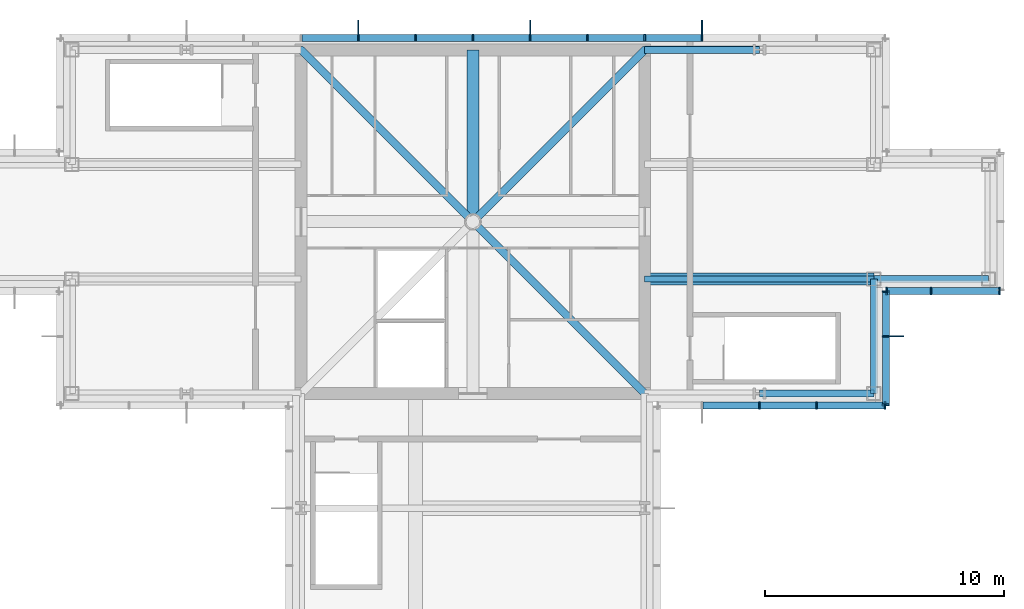
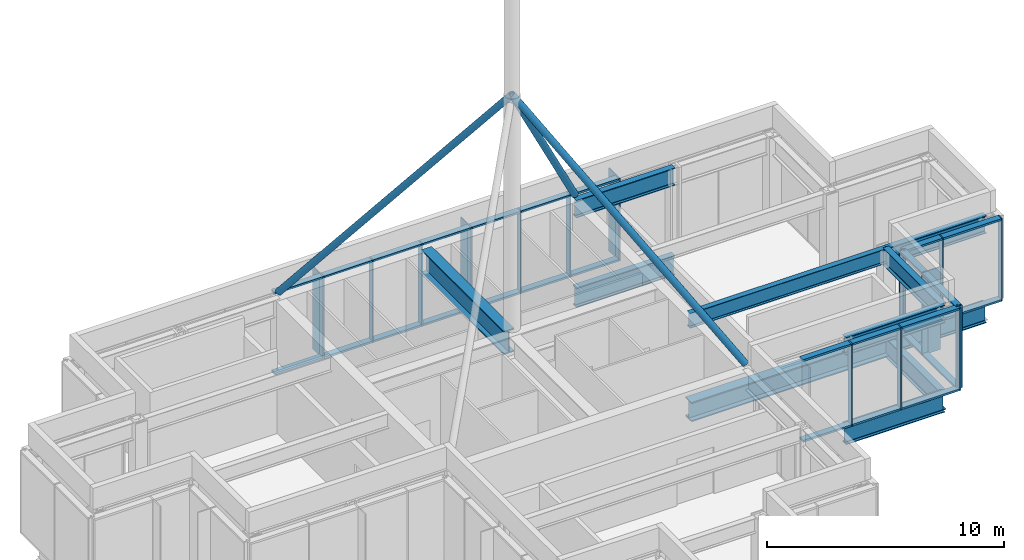
# One storey, part 5 of 10: 51 members, 11 beams, 4 elements without a shape of their own.
"""IFC4 building model written with IfcOpenShell, lengths in metres."""

from ifc_helpers import new_model, si_unit, direction, frame, origin, origin_2d, place, context, subcontext, project, spatial, rectangle, hollow_circle, i_section, extrude, material, material_profile, profile_set, type_object, element, aggregate, save


model = new_model("IFC4")

# Units and contexts
model_context = context("Model", 3, precision=1e-05, world=origin(), true_north=direction((0.0, 1.0)))
body_context = subcontext(model_context, "Body", "Model", "MODEL_VIEW")
ifc_project = project(units=[si_unit("LENGTHUNIT", "METRE"), si_unit("AREAUNIT", "SQUARE_METRE"), si_unit("VOLUMEUNIT", "CUBIC_METRE"), si_unit("PLANEANGLEUNIT", "RADIAN"), si_unit("MASSUNIT", "GRAM", prefix="KILO")], contexts=[model_context])

# Site, building, storey
site_placement = place(None, origin())
site = spatial("IfcSite", under=ifc_project, at=site_placement, CompositionType="ELEMENT")
building_placement = place(site_placement, origin())
building = spatial("IfcBuilding", under=site, at=building_placement, Name="Kvirike Care Tower", CompositionType="ELEMENT")
storey_placement = place(building_placement, frame((0.0, 0.0, 248.0)))
storey = spatial("IfcBuildingStorey", under=building, at=storey_placement, Name="L68", CompositionType="ELEMENT", Elevation=248.0)

# Curtain wall, member
ifc_material_1 = material(Name="Anodised aluminium stick system", Category="aluminium")
curtain_wall_type = type_object("IfcCurtainWallType", Name="CW-L LOUVRED PLANT SCREEN", PredefinedType="NOTDEFINED", material=ifc_material_1)
curtain_wall_1_placement = place(storey_placement, origin())
curtain_wall_1 = element("IfcCurtainWall", 1, at=curtain_wall_1_placement, inside=storey, type_object=curtain_wall_type, Name="Curtain wall L68 face 2", PredefinedType="NOTDEFINED")
ifc_material_2 = material(Name="Bronze anodised aluminium fin", Category="aluminium")
ifc_material_profile_1 = material_profile(ifc_material_2, rectangle(XDim=0.050048828125, YDim=0.60009765625, at=origin_2d()), Name="BRONZE FIN 600")
ifc_profile_set_1 = profile_set([ifc_material_profile_1], Name="Bronze anodised aluminium fin")
member_type_1 = type_object("IfcMemberType", Name="BRONZE FIN 600", PredefinedType="USERDEFINED", material=ifc_profile_set_1)
member_1_placement = place(storey_placement, frame((39.35009765625, 31.199951171875, 0.0), z_axis=(0.0, 0.0, 1.0), x_axis=(0.0, 1.0, 0.0)))
member_1 = element("IfcMember", 2, at=member_1_placement, type_object=member_type_1, Name="Bronze fin L68 face 2.2", ObjectType="FIN", PredefinedType="USERDEFINED", context=body_context, shape_type="SweptSolid", body=[
    extrude(rectangle(XDim=0.050048828125, YDim=0.60009765625, at=origin_2d()), origin(), (0.0, 0.0, 1.0), 4.25),
])

# Curtain wall, members
curtain_wall_2_placement = place(storey_placement, origin())
curtain_wall_2 = element("IfcCurtainWall", 3, at=curtain_wall_2_placement, inside=storey, type_object=curtain_wall_type, Name="Curtain wall L68 face 7", PredefinedType="NOTDEFINED")
member_2_placement = place(storey_placement, frame((31.199951171875, 44.14990234375, 0.0), z_axis=(0.0, 0.0, 1.0), x_axis=(-1.0, 0.0, 0.0)))
member_2 = element("IfcMember", 4, at=member_2_placement, type_object=member_type_1, Name="Bronze fin L68 face 7.4", ObjectType="FIN", PredefinedType="USERDEFINED", context=body_context, shape_type="SweptSolid", body=[
    extrude(rectangle(XDim=0.050048828125, YDim=0.60009765625, at=origin_2d()), origin(), (0.0, 0.0, 1.0), 4.25),
])
member_3_placement = place(storey_placement, frame((24.0, 44.14990234375, 0.0), z_axis=(0.0, 0.0, 1.0), x_axis=(-1.0, 0.0, 0.0)))
member_3 = element("IfcMember", 5, at=member_3_placement, type_object=member_type_1, Name="Bronze fin L68 face 7.7", ObjectType="FIN", PredefinedType="USERDEFINED", context=body_context, shape_type="SweptSolid", body=[
    extrude(rectangle(XDim=0.050048828125, YDim=0.60009765625, at=origin_2d()), origin(), (0.0, 0.0, 1.0), 4.25),
])
member_4_placement = place(storey_placement, frame((16.800048828125, 44.14990234375, 0.0), z_axis=(0.0, 0.0, 1.0), x_axis=(-1.0, 0.0, 0.0)))
member_4 = element("IfcMember", 6, at=member_4_placement, type_object=member_type_1, Name="Bronze fin L68 face 7.10", ObjectType="FIN", PredefinedType="USERDEFINED", context=body_context, shape_type="SweptSolid", body=[
    extrude(rectangle(XDim=0.050048828125, YDim=0.60009765625, at=origin_2d()), origin(), (0.0, 0.0, 1.0), 4.25),
])

curtain_wall_3_placement = place(storey_placement, origin())
curtain_wall_3 = element("IfcCurtainWall", 7, at=curtain_wall_3_placement, inside=storey, type_object=curtain_wall_type, Name="Curtain wall L68 face 1", PredefinedType="NOTDEFINED")
ifc_material_3 = material(Name="Bronze anodised aluminium mullion", Category="aluminium")
ifc_material_profile_2 = material_profile(ifc_material_3, rectangle(XDim=0.06494140625, YDim=0.300048828125, at=origin_2d()), Name="CW-L MULLION 65x300")
ifc_profile_set_2 = profile_set([ifc_material_profile_2], Name="Bronze anodised aluminium mullion")
member_type_2 = type_object("IfcMemberType", Name="CW-L MULLION 65x300", PredefinedType="MULLION", material=ifc_profile_set_2)
member_5_placement = place(storey_placement, frame((33.60009765625, 28.300048828125, 0.0), z_axis=(0.0, 0.0, 1.0), x_axis=(1.0, 0.0, 0.0)))
member_5 = element("IfcMember", 8, at=member_5_placement, type_object=member_type_2, Name="CW-L mullion L68 face 1.3", PredefinedType="MULLION", context=body_context, shape_type="SweptSolid", body=[
    extrude(rectangle(XDim=0.06494140625, YDim=0.300048828125, at=origin_2d()), origin(), (0.0, 0.0, 1.0), 4.25),
])
member_6_placement = place(storey_placement, frame((36.0, 28.300048828125, 0.0), z_axis=(0.0, 0.0, 1.0), x_axis=(1.0, 0.0, 0.0)))
member_6 = element("IfcMember", 9, at=member_6_placement, type_object=member_type_2, Name="CW-L mullion L68 face 1.4", PredefinedType="MULLION", context=body_context, shape_type="SweptSolid", body=[
    extrude(rectangle(XDim=0.06494140625, YDim=0.300048828125, at=origin_2d()), origin(), (0.0, 0.0, 1.0), 4.25),
])
member_7_placement = place(storey_placement, frame((38.867431640625, 28.300048828125, 0.0), z_axis=(0.0, 0.0, 1.0), x_axis=(1.0, 0.0, 0.0)))
member_7 = element("IfcMember", 10, at=member_7_placement, type_object=member_type_2, Name="CW-L mullion L68 face 1.5", PredefinedType="MULLION", context=body_context, shape_type="SweptSolid", body=[
    extrude(rectangle(XDim=0.06494140625, YDim=0.300048828125, at=origin_2d()), origin(), (0.0, 0.0, 1.0), 4.25),
])

# Member
member_8_placement = place(storey_placement, frame((38.89990234375, 28.33251953125, 0.0), z_axis=(0.0, 0.0, 1.0), x_axis=(0.0, 1.0, 0.0)))
member_8 = element("IfcMember", 11, at=member_8_placement, type_object=member_type_2, Name="CW-L mullion L68 face 2.1", PredefinedType="MULLION", context=body_context, shape_type="SweptSolid", body=[
    extrude(rectangle(XDim=0.06494140625, YDim=0.300048828125, at=origin_2d()), origin(), (0.0, 0.0, 1.0), 4.25),
])

member_9_placement = place(storey_placement, frame((38.89990234375, 31.199951171875, 0.0), z_axis=(0.0, 0.0, 1.0), x_axis=(0.0, 1.0, 0.0)))
member_9 = element("IfcMember", 12, at=member_9_placement, type_object=member_type_2, Name="CW-L mullion L68 face 2.2", PredefinedType="MULLION", context=body_context, shape_type="SweptSolid", body=[
    extrude(rectangle(XDim=0.06494140625, YDim=0.300048828125, at=origin_2d()), origin(), (0.0, 0.0, 1.0), 4.25),
])

member_10_placement = place(storey_placement, frame((38.89990234375, 33.0673828125, 0.0), z_axis=(0.0, 0.0, 1.0), x_axis=(0.0, 1.0, 0.0)))
member_10 = element("IfcMember", 13, at=member_10_placement, type_object=member_type_2, Name="CW-L mullion L68 face 2.3", PredefinedType="MULLION", context=body_context, shape_type="SweptSolid", body=[
    extrude(rectangle(XDim=0.06494140625, YDim=0.300048828125, at=origin_2d()), origin(), (0.0, 0.0, 1.0), 4.25),
])

# Curtain wall, members
curtain_wall_4_placement = place(storey_placement, origin())
curtain_wall_4 = element("IfcCurtainWall", 14, at=curtain_wall_4_placement, inside=storey, type_object=curtain_wall_type, Name="Curtain wall L68 face 3", PredefinedType="NOTDEFINED")
member_11_placement = place(storey_placement, frame((38.9326171875, 33.10009765625, 0.0), z_axis=(0.0, 0.0, 1.0), x_axis=(1.0, 0.0, 0.0)))
member_11 = element("IfcMember", 15, at=member_11_placement, type_object=member_type_2, Name="CW-L mullion L68 face 3.1", PredefinedType="MULLION", context=body_context, shape_type="SweptSolid", body=[
    extrude(rectangle(XDim=0.06494140625, YDim=0.300048828125, at=origin_2d()), origin(), (0.0, 0.0, 1.0), 4.25),
])
member_12_placement = place(storey_placement, frame((40.800048828125, 33.10009765625, 0.0), z_axis=(0.0, 0.0, 1.0), x_axis=(1.0, 0.0, 0.0)))
member_12 = element("IfcMember", 16, at=member_12_placement, type_object=member_type_2, Name="CW-L mullion L68 face 3.2", PredefinedType="MULLION", context=body_context, shape_type="SweptSolid", body=[
    extrude(rectangle(XDim=0.06494140625, YDim=0.300048828125, at=origin_2d()), origin(), (0.0, 0.0, 1.0), 4.25),
])
member_13_placement = place(storey_placement, frame((43.66748046875, 33.10009765625, 0.0), z_axis=(0.0, 0.0, 1.0), x_axis=(1.0, 0.0, 0.0)))
member_13 = element("IfcMember", 17, at=member_13_placement, type_object=member_type_2, Name="CW-L mullion L68 face 3.3", PredefinedType="MULLION", context=body_context, shape_type="SweptSolid", body=[
    extrude(rectangle(XDim=0.06494140625, YDim=0.300048828125, at=origin_2d()), origin(), (0.0, 0.0, 1.0), 4.25),
])

# Member
member_14_placement = place(storey_placement, frame((31.199951171875, 43.699951171875, 0.0), z_axis=(0.0, 0.0, 1.0), x_axis=(-1.0, 0.0, 0.0)))
member_14 = element("IfcMember", 18, at=member_14_placement, type_object=member_type_2, Name="CW-L mullion L68 face 7.4", PredefinedType="MULLION", context=body_context, shape_type="SweptSolid", body=[
    extrude(rectangle(XDim=0.06494140625, YDim=0.300048828125, at=origin_2d()), origin(), (0.0, 0.0, 1.0), 4.25),
])

member_15_placement = place(storey_placement, frame((28.800048828125, 43.699951171875, 0.0), z_axis=(0.0, 0.0, 1.0), x_axis=(-1.0, 0.0, 0.0)))
member_15 = element("IfcMember", 19, at=member_15_placement, type_object=member_type_2, Name="CW-L mullion L68 face 7.5", PredefinedType="MULLION", context=body_context, shape_type="SweptSolid", body=[
    extrude(rectangle(XDim=0.06494140625, YDim=0.300048828125, at=origin_2d()), origin(), (0.0, 0.0, 1.0), 4.25),
])

member_16_placement = place(storey_placement, frame((26.39990234375, 43.699951171875, 0.0), z_axis=(0.0, 0.0, 1.0), x_axis=(-1.0, 0.0, 0.0)))
member_16 = element("IfcMember", 20, at=member_16_placement, type_object=member_type_2, Name="CW-L mullion L68 face 7.6", PredefinedType="MULLION", context=body_context, shape_type="SweptSolid", body=[
    extrude(rectangle(XDim=0.06494140625, YDim=0.300048828125, at=origin_2d()), origin(), (0.0, 0.0, 1.0), 4.25),
])

member_17_placement = place(storey_placement, frame((24.0, 43.699951171875, 0.0), z_axis=(0.0, 0.0, 1.0), x_axis=(-1.0, 0.0, 0.0)))
member_17 = element("IfcMember", 21, at=member_17_placement, type_object=member_type_2, Name="CW-L mullion L68 face 7.7", PredefinedType="MULLION", context=body_context, shape_type="SweptSolid", body=[
    extrude(rectangle(XDim=0.06494140625, YDim=0.300048828125, at=origin_2d()), origin(), (0.0, 0.0, 1.0), 4.25),
])

member_18_placement = place(storey_placement, frame((21.60009765625, 43.699951171875, 0.0), z_axis=(0.0, 0.0, 1.0), x_axis=(-1.0, 0.0, 0.0)))
member_18 = element("IfcMember", 22, at=member_18_placement, type_object=member_type_2, Name="CW-L mullion L68 face 7.8", PredefinedType="MULLION", context=body_context, shape_type="SweptSolid", body=[
    extrude(rectangle(XDim=0.06494140625, YDim=0.300048828125, at=origin_2d()), origin(), (0.0, 0.0, 1.0), 4.25),
])

member_19_placement = place(storey_placement, frame((19.199951171875, 43.699951171875, 0.0), z_axis=(0.0, 0.0, 1.0), x_axis=(-1.0, 0.0, 0.0)))
member_19 = element("IfcMember", 23, at=member_19_placement, type_object=member_type_2, Name="CW-L mullion L68 face 7.9", PredefinedType="MULLION", context=body_context, shape_type="SweptSolid", body=[
    extrude(rectangle(XDim=0.06494140625, YDim=0.300048828125, at=origin_2d()), origin(), (0.0, 0.0, 1.0), 4.25),
])

member_20_placement = place(storey_placement, frame((16.800048828125, 43.699951171875, 0.0), z_axis=(0.0, 0.0, 1.0), x_axis=(-1.0, 0.0, 0.0)))
member_20 = element("IfcMember", 24, at=member_20_placement, type_object=member_type_2, Name="CW-L mullion L68 face 7.10", PredefinedType="MULLION", context=body_context, shape_type="SweptSolid", body=[
    extrude(rectangle(XDim=0.06494140625, YDim=0.300048828125, at=origin_2d()), origin(), (0.0, 0.0, 1.0), 4.25),
])

ifc_material_4 = material(Name="Bronze anodised aluminium transom", Category="aluminium")
ifc_material_profile_3 = material_profile(ifc_material_4, rectangle(XDim=0.300048828125, YDim=0.10009765625, at=origin_2d()), Name="CW-L TRANSOM 300x100")
ifc_profile_set_3 = profile_set([ifc_material_profile_3], Name="Bronze anodised aluminium transom")
member_type_3 = type_object("IfcMemberType", Name="CW-L TRANSOM 300x100", PredefinedType="USERDEFINED", material=ifc_profile_set_3)
member_21_placement = place(storey_placement, frame((31.232421875, 28.300048828125, 0.050048828125), z_axis=(1.0, 0.0, 0.0), x_axis=(0.0, 1.0, 0.0)))
member_21 = element("IfcMember", 25, at=member_21_placement, type_object=member_type_3, Name="CW-L sill transom L68 face 1.2", ObjectType="TRANSOM", PredefinedType="USERDEFINED", context=body_context, shape_type="SweptSolid", body=[
    extrude(rectangle(XDim=0.300048828125, YDim=0.10009765625, at=origin_2d()), origin(), (0.0, 0.0, 1.0), 2.3349609375),
])

member_22_placement = place(storey_placement, frame((31.232421875, 28.300048828125, 4.199951171875), z_axis=(1.0, 0.0, 0.0), x_axis=(0.0, 1.0, 0.0)))
member_22 = element("IfcMember", 26, at=member_22_placement, type_object=member_type_3, Name="CW-L head transom L68 face 1.2", ObjectType="TRANSOM", PredefinedType="USERDEFINED", context=body_context, shape_type="SweptSolid", body=[
    extrude(rectangle(XDim=0.300048828125, YDim=0.10009765625, at=origin_2d()), origin(), (0.0, 0.0, 1.0), 2.3349609375),
])

member_23_placement = place(storey_placement, frame((33.632568359375, 28.300048828125, 0.050048828125), z_axis=(1.0, 0.0, 0.0), x_axis=(0.0, 1.0, 0.0)))
member_23 = element("IfcMember", 27, at=member_23_placement, type_object=member_type_3, Name="CW-L sill transom L68 face 1.3", ObjectType="TRANSOM", PredefinedType="USERDEFINED", context=body_context, shape_type="SweptSolid", body=[
    extrude(rectangle(XDim=0.300048828125, YDim=0.10009765625, at=origin_2d()), origin(), (0.0, 0.0, 1.0), 2.3349609375),
])

member_24_placement = place(storey_placement, frame((33.632568359375, 28.300048828125, 4.199951171875), z_axis=(1.0, 0.0, 0.0), x_axis=(0.0, 1.0, 0.0)))
member_24 = element("IfcMember", 28, at=member_24_placement, type_object=member_type_3, Name="CW-L head transom L68 face 1.3", ObjectType="TRANSOM", PredefinedType="USERDEFINED", context=body_context, shape_type="SweptSolid", body=[
    extrude(rectangle(XDim=0.300048828125, YDim=0.10009765625, at=origin_2d()), origin(), (0.0, 0.0, 1.0), 2.3349609375),
])

member_25_placement = place(storey_placement, frame((36.032470703125, 28.300048828125, 0.050048828125), z_axis=(1.0, 0.0, 0.0), x_axis=(0.0, 1.0, 0.0)))
member_25 = element("IfcMember", 29, at=member_25_placement, type_object=member_type_3, Name="CW-L sill transom L68 face 1.4", ObjectType="TRANSOM", PredefinedType="USERDEFINED", context=body_context, shape_type="SweptSolid", body=[
    extrude(rectangle(XDim=0.300048828125, YDim=0.10009765625, at=origin_2d()), origin(), (0.0, 0.0, 1.0), 2.802490234375),
])

member_26_placement = place(storey_placement, frame((36.032470703125, 28.300048828125, 4.199951171875), z_axis=(1.0, 0.0, 0.0), x_axis=(0.0, 1.0, 0.0)))
member_26 = element("IfcMember", 30, at=member_26_placement, type_object=member_type_3, Name="CW-L head transom L68 face 1.4", ObjectType="TRANSOM", PredefinedType="USERDEFINED", context=body_context, shape_type="SweptSolid", body=[
    extrude(rectangle(XDim=0.300048828125, YDim=0.10009765625, at=origin_2d()), origin(), (0.0, 0.0, 1.0), 2.802490234375),
])

aggregate(curtain_wall_3, [member_5, member_6, member_7, member_21, member_22, member_23, member_24, member_25, member_26])

member_27_placement = place(storey_placement, frame((38.89990234375, 28.364990234375, 0.050048828125), z_axis=(0.0, 1.0, 0.0), x_axis=(-1.0, 0.0, 0.0)))
member_27 = element("IfcMember", 31, at=member_27_placement, type_object=member_type_3, Name="CW-L sill transom L68 face 2.1", ObjectType="TRANSOM", PredefinedType="USERDEFINED", context=body_context, shape_type="SweptSolid", body=[
    extrude(rectangle(XDim=0.300048828125, YDim=0.10009765625, at=origin_2d()), origin(), (0.0, 0.0, 1.0), 2.802490234375),
])

member_28_placement = place(storey_placement, frame((38.89990234375, 28.364990234375, 4.199951171875), z_axis=(0.0, 1.0, 0.0), x_axis=(-1.0, 0.0, 0.0)))
member_28 = element("IfcMember", 32, at=member_28_placement, type_object=member_type_3, Name="CW-L head transom L68 face 2.1", ObjectType="TRANSOM", PredefinedType="USERDEFINED", context=body_context, shape_type="SweptSolid", body=[
    extrude(rectangle(XDim=0.300048828125, YDim=0.10009765625, at=origin_2d()), origin(), (0.0, 0.0, 1.0), 2.802490234375),
])

member_29_placement = place(storey_placement, frame((38.89990234375, 31.232421875, 0.050048828125), z_axis=(0.0, 1.0, 0.0), x_axis=(-1.0, 0.0, 0.0)))
member_29 = element("IfcMember", 33, at=member_29_placement, type_object=member_type_3, Name="CW-L sill transom L68 face 2.2", ObjectType="TRANSOM", PredefinedType="USERDEFINED", context=body_context, shape_type="SweptSolid", body=[
    extrude(rectangle(XDim=0.300048828125, YDim=0.10009765625, at=origin_2d()), origin(), (0.0, 0.0, 1.0), 1.802490234375),
])

member_30_placement = place(storey_placement, frame((38.89990234375, 31.232421875, 4.199951171875), z_axis=(0.0, 1.0, 0.0), x_axis=(-1.0, 0.0, 0.0)))
member_30 = element("IfcMember", 34, at=member_30_placement, type_object=member_type_3, Name="CW-L head transom L68 face 2.2", ObjectType="TRANSOM", PredefinedType="USERDEFINED", context=body_context, shape_type="SweptSolid", body=[
    extrude(rectangle(XDim=0.300048828125, YDim=0.10009765625, at=origin_2d()), origin(), (0.0, 0.0, 1.0), 1.802490234375),
])

aggregate(curtain_wall_1, [member_8, member_9, member_1, member_10, member_27, member_28, member_29, member_30])

member_31_placement = place(storey_placement, frame((38.965087890625, 33.10009765625, 0.050048828125), z_axis=(1.0, 0.0, 0.0), x_axis=(0.0, 1.0, 0.0)))
member_31 = element("IfcMember", 35, at=member_31_placement, type_object=member_type_3, Name="CW-L sill transom L68 face 3.1", ObjectType="TRANSOM", PredefinedType="USERDEFINED", context=body_context, shape_type="SweptSolid", body=[
    extrude(rectangle(XDim=0.300048828125, YDim=0.10009765625, at=origin_2d()), origin(), (0.0, 0.0, 1.0), 1.802490234375),
])

member_32_placement = place(storey_placement, frame((38.965087890625, 33.10009765625, 4.199951171875), z_axis=(1.0, 0.0, 0.0), x_axis=(0.0, 1.0, 0.0)))
member_32 = element("IfcMember", 36, at=member_32_placement, type_object=member_type_3, Name="CW-L head transom L68 face 3.1", ObjectType="TRANSOM", PredefinedType="USERDEFINED", context=body_context, shape_type="SweptSolid", body=[
    extrude(rectangle(XDim=0.300048828125, YDim=0.10009765625, at=origin_2d()), origin(), (0.0, 0.0, 1.0), 1.802490234375),
])

member_33_placement = place(storey_placement, frame((40.83251953125, 33.10009765625, 0.050048828125), z_axis=(1.0, 0.0, 0.0), x_axis=(0.0, 1.0, 0.0)))
member_33 = element("IfcMember", 37, at=member_33_placement, type_object=member_type_3, Name="CW-L sill transom L68 face 3.2", ObjectType="TRANSOM", PredefinedType="USERDEFINED", context=body_context, shape_type="SweptSolid", body=[
    extrude(rectangle(XDim=0.300048828125, YDim=0.10009765625, at=origin_2d()), origin(), (0.0, 0.0, 1.0), 2.802490234375),
])

member_34_placement = place(storey_placement, frame((40.83251953125, 33.10009765625, 4.199951171875), z_axis=(1.0, 0.0, 0.0), x_axis=(0.0, 1.0, 0.0)))
member_34 = element("IfcMember", 38, at=member_34_placement, type_object=member_type_3, Name="CW-L head transom L68 face 3.2", ObjectType="TRANSOM", PredefinedType="USERDEFINED", context=body_context, shape_type="SweptSolid", body=[
    extrude(rectangle(XDim=0.300048828125, YDim=0.10009765625, at=origin_2d()), origin(), (0.0, 0.0, 1.0), 2.802490234375),
])

aggregate(curtain_wall_4, [member_11, member_12, member_13, member_31, member_32, member_33, member_34])

member_35_placement = place(storey_placement, frame((31.16748046875, 43.699951171875, 0.050048828125), z_axis=(-1.0, 0.0, 0.0), x_axis=(0.0, -1.0, 0.0)))
member_35 = element("IfcMember", 39, at=member_35_placement, type_object=member_type_3, Name="CW-L sill transom L68 face 7.4", ObjectType="TRANSOM", PredefinedType="USERDEFINED", context=body_context, shape_type="SweptSolid", body=[
    extrude(rectangle(XDim=0.300048828125, YDim=0.10009765625, at=origin_2d()), origin(), (0.0, 0.0, 1.0), 2.3349609375),
])

member_36_placement = place(storey_placement, frame((31.16748046875, 43.699951171875, 4.199951171875), z_axis=(-1.0, 0.0, 0.0), x_axis=(0.0, -1.0, 0.0)))
member_36 = element("IfcMember", 40, at=member_36_placement, type_object=member_type_3, Name="CW-L head transom L68 face 7.4", ObjectType="TRANSOM", PredefinedType="USERDEFINED", context=body_context, shape_type="SweptSolid", body=[
    extrude(rectangle(XDim=0.300048828125, YDim=0.10009765625, at=origin_2d()), origin(), (0.0, 0.0, 1.0), 2.3349609375),
])

member_37_placement = place(storey_placement, frame((28.767578125, 43.699951171875, 0.050048828125), z_axis=(-1.0, 0.0, 0.0), x_axis=(0.0, -1.0, 0.0)))
member_37 = element("IfcMember", 41, at=member_37_placement, type_object=member_type_3, Name="CW-L sill transom L68 face 7.5", ObjectType="TRANSOM", PredefinedType="USERDEFINED", context=body_context, shape_type="SweptSolid", body=[
    extrude(rectangle(XDim=0.300048828125, YDim=0.10009765625, at=origin_2d()), origin(), (0.0, 0.0, 1.0), 2.3349609375),
])

member_38_placement = place(storey_placement, frame((28.767578125, 43.699951171875, 4.199951171875), z_axis=(-1.0, 0.0, 0.0), x_axis=(0.0, -1.0, 0.0)))
member_38 = element("IfcMember", 42, at=member_38_placement, type_object=member_type_3, Name="CW-L head transom L68 face 7.5", ObjectType="TRANSOM", PredefinedType="USERDEFINED", context=body_context, shape_type="SweptSolid", body=[
    extrude(rectangle(XDim=0.300048828125, YDim=0.10009765625, at=origin_2d()), origin(), (0.0, 0.0, 1.0), 2.3349609375),
])

member_39_placement = place(storey_placement, frame((26.367431640625, 43.699951171875, 0.050048828125), z_axis=(-1.0, 0.0, 0.0), x_axis=(0.0, -1.0, 0.0)))
member_39 = element("IfcMember", 43, at=member_39_placement, type_object=member_type_3, Name="CW-L sill transom L68 face 7.6", ObjectType="TRANSOM", PredefinedType="USERDEFINED", context=body_context, shape_type="SweptSolid", body=[
    extrude(rectangle(XDim=0.300048828125, YDim=0.10009765625, at=origin_2d()), origin(), (0.0, 0.0, 1.0), 2.3349609375),
])

member_40_placement = place(storey_placement, frame((26.367431640625, 43.699951171875, 4.199951171875), z_axis=(-1.0, 0.0, 0.0), x_axis=(0.0, -1.0, 0.0)))
member_40 = element("IfcMember", 44, at=member_40_placement, type_object=member_type_3, Name="CW-L head transom L68 face 7.6", ObjectType="TRANSOM", PredefinedType="USERDEFINED", context=body_context, shape_type="SweptSolid", body=[
    extrude(rectangle(XDim=0.300048828125, YDim=0.10009765625, at=origin_2d()), origin(), (0.0, 0.0, 1.0), 2.3349609375),
])

member_41_placement = place(storey_placement, frame((23.967529296875, 43.699951171875, 0.050048828125), z_axis=(-1.0, 0.0, 0.0), x_axis=(0.0, -1.0, 0.0)))
member_41 = element("IfcMember", 45, at=member_41_placement, type_object=member_type_3, Name="CW-L sill transom L68 face 7.7", ObjectType="TRANSOM", PredefinedType="USERDEFINED", context=body_context, shape_type="SweptSolid", body=[
    extrude(rectangle(XDim=0.300048828125, YDim=0.10009765625, at=origin_2d()), origin(), (0.0, 0.0, 1.0), 2.3349609375),
])

member_42_placement = place(storey_placement, frame((23.967529296875, 43.699951171875, 4.199951171875), z_axis=(-1.0, 0.0, 0.0), x_axis=(0.0, -1.0, 0.0)))
member_42 = element("IfcMember", 46, at=member_42_placement, type_object=member_type_3, Name="CW-L head transom L68 face 7.7", ObjectType="TRANSOM", PredefinedType="USERDEFINED", context=body_context, shape_type="SweptSolid", body=[
    extrude(rectangle(XDim=0.300048828125, YDim=0.10009765625, at=origin_2d()), origin(), (0.0, 0.0, 1.0), 2.3349609375),
])

member_43_placement = place(storey_placement, frame((21.5673828125, 43.699951171875, 0.050048828125), z_axis=(-1.0, 0.0, 0.0), x_axis=(0.0, -1.0, 0.0)))
member_43 = element("IfcMember", 47, at=member_43_placement, type_object=member_type_3, Name="CW-L sill transom L68 face 7.8", ObjectType="TRANSOM", PredefinedType="USERDEFINED", context=body_context, shape_type="SweptSolid", body=[
    extrude(rectangle(XDim=0.300048828125, YDim=0.10009765625, at=origin_2d()), origin(), (0.0, 0.0, 1.0), 2.3349609375),
])

member_44_placement = place(storey_placement, frame((21.5673828125, 43.699951171875, 4.199951171875), z_axis=(-1.0, 0.0, 0.0), x_axis=(0.0, -1.0, 0.0)))
member_44 = element("IfcMember", 48, at=member_44_placement, type_object=member_type_3, Name="CW-L head transom L68 face 7.8", ObjectType="TRANSOM", PredefinedType="USERDEFINED", context=body_context, shape_type="SweptSolid", body=[
    extrude(rectangle(XDim=0.300048828125, YDim=0.10009765625, at=origin_2d()), origin(), (0.0, 0.0, 1.0), 2.3349609375),
])

member_45_placement = place(storey_placement, frame((19.16748046875, 43.699951171875, 0.050048828125), z_axis=(-1.0, 0.0, 0.0), x_axis=(0.0, -1.0, 0.0)))
member_45 = element("IfcMember", 49, at=member_45_placement, type_object=member_type_3, Name="CW-L sill transom L68 face 7.9", ObjectType="TRANSOM", PredefinedType="USERDEFINED", context=body_context, shape_type="SweptSolid", body=[
    extrude(rectangle(XDim=0.300048828125, YDim=0.10009765625, at=origin_2d()), origin(), (0.0, 0.0, 1.0), 2.3349609375),
])

member_46_placement = place(storey_placement, frame((19.16748046875, 43.699951171875, 4.199951171875), z_axis=(-1.0, 0.0, 0.0), x_axis=(0.0, -1.0, 0.0)))
member_46 = element("IfcMember", 50, at=member_46_placement, type_object=member_type_3, Name="CW-L head transom L68 face 7.9", ObjectType="TRANSOM", PredefinedType="USERDEFINED", context=body_context, shape_type="SweptSolid", body=[
    extrude(rectangle(XDim=0.300048828125, YDim=0.10009765625, at=origin_2d()), origin(), (0.0, 0.0, 1.0), 2.3349609375),
])

member_47_placement = place(storey_placement, frame((16.767578125, 43.699951171875, 0.050048828125), z_axis=(-1.0, 0.0, 0.0), x_axis=(0.0, -1.0, 0.0)))
member_47 = element("IfcMember", 51, at=member_47_placement, type_object=member_type_3, Name="CW-L sill transom L68 face 7.10", ObjectType="TRANSOM", PredefinedType="USERDEFINED", context=body_context, shape_type="SweptSolid", body=[
    extrude(rectangle(XDim=0.300048828125, YDim=0.10009765625, at=origin_2d()), origin(), (0.0, 0.0, 1.0), 2.3349609375),
])

member_48_placement = place(storey_placement, frame((16.767578125, 43.699951171875, 4.199951171875), z_axis=(-1.0, 0.0, 0.0), x_axis=(0.0, -1.0, 0.0)))
member_48 = element("IfcMember", 52, at=member_48_placement, type_object=member_type_3, Name="CW-L head transom L68 face 7.10", ObjectType="TRANSOM", PredefinedType="USERDEFINED", context=body_context, shape_type="SweptSolid", body=[
    extrude(rectangle(XDim=0.300048828125, YDim=0.10009765625, at=origin_2d()), origin(), (0.0, 0.0, 1.0), 2.3349609375),
])

aggregate(curtain_wall_2, [member_14, member_2, member_15, member_16, member_17, member_3, member_18, member_19, member_20, member_4, member_35, member_36, member_37, member_38, member_39, member_40, member_41, member_42, member_43, member_44, member_45, member_46, member_47, member_48])

# Beams
ifc_material_5 = material(Name="Steel S355", Category="steel")
ifc_material_profile_4 = material_profile(ifc_material_5, i_section(OverallWidth=0.26708984375, OverallDepth=0.761962890625, WebThickness=0.014404296875, FlangeThickness=0.021484375, FilletRadius=0.01708984375, at=origin_2d()), Name="IPE 750x173")
ifc_profile_set_4 = profile_set([ifc_material_profile_4], Name="Steel S355")
beam_type_1 = type_object("IfcBeamType", Name="FLOOR BEAM IPE 750x173", PredefinedType="BEAM", material=ifc_profile_set_4)
beam_1_placement = place(storey_placement, frame((28.800048828125, 33.60009765625, 3.868896484375), z_axis=(1.0, 0.0, 0.0), x_axis=(0.0, 1.0, 0.0)))
element("IfcBeam", 53, at=beam_1_placement, inside=storey, type_object=beam_type_1, Name="Floor Beam H9-H11 roof", PredefinedType="BEAM", context=body_context, shape_type="SweptSolid", body=[
    extrude(i_section(OverallWidth=0.26708984375, OverallDepth=0.761962890625, WebThickness=0.014404296875, FlangeThickness=0.021484375, FilletRadius=0.01708984375, at=origin_2d()), origin(), (0.0, 0.0, 1.0), 9.599853515625),
])
ifc_material_6 = material(Name="Steel S355", Category="steel")
ifc_material_profile_5 = material_profile(ifc_material_6, i_section(OverallWidth=0.5, OverallDepth=1.0, WebThickness=0.030029296875, FlangeThickness=0.06005859375, at=origin_2d()), Name="PG 1000x500x30x60")
ifc_profile_set_5 = profile_set([ifc_material_profile_5], Name="Steel S355")
beam_type_2 = type_object("IfcBeamType", Name="PLANT FLOOR GIRDER PG 1000x500x30x60", PredefinedType="BEAM", material=ifc_profile_set_5)
beam_2_placement = place(storey_placement, frame((28.800048828125, 33.60009765625, -0.75), z_axis=(1.0, 0.0, 0.0), x_axis=(0.0, 1.0, 0.0)))
element("IfcBeam", 54, at=beam_2_placement, inside=storey, type_object=beam_type_2, Name="Plant Floor Girder H9-H11 L68", PredefinedType="BEAM", context=body_context, shape_type="SweptSolid", body=[
    extrude(i_section(OverallWidth=0.5, OverallDepth=1.0, WebThickness=0.030029296875, FlangeThickness=0.06005859375, at=origin_2d()), origin(), (0.0, 0.0, 1.0), 9.599853515625),
])
ifc_material_7 = material(Name="Steel S355", Category="steel")
ifc_material_profile_6 = material_profile(ifc_material_7, i_section(OverallWidth=0.302001953125, OverallDepth=1.008056640625, WebThickness=0.02099609375, FlangeThickness=0.0400390625, FilletRadius=0.030029296875, at=origin_2d()), Name="HE 1000 M")
ifc_profile_set_6 = profile_set([ifc_material_profile_6], Name="Steel S355")
beam_type_3 = type_object("IfcBeamType", Name="SPANDREL HE 1000 M", PredefinedType="SPANDREL", material=ifc_profile_set_6)
beam_3_placement = place(storey_placement, frame((33.60009765625, 28.800048828125, -0.75390625), z_axis=(1.0, 0.0, 0.0), x_axis=(0.0, 1.0, 0.0)))
element("IfcBeam", 55, at=beam_3_placement, inside=storey, type_object=beam_type_3, Name="Spandrel G10-G11 L68", PredefinedType="SPANDREL", context=body_context, shape_type="SweptSolid", body=[
    extrude(i_section(OverallWidth=0.302001953125, OverallDepth=1.008056640625, WebThickness=0.02099609375, FlangeThickness=0.0400390625, FilletRadius=0.030029296875, at=origin_2d()), origin(), (0.0, 0.0, 1.0), 4.7998046875),
])
for number, where, z_axis, x_axis, name in (
    (56, (38.39990234375, 33.60009765625, -0.75390625), (1.0, 0.0, 0.0), (0.0, 1.0, 0.0), "Spandrel H11-H12 L68"),
    (57, (28.800048828125, 43.199951171875, -0.75390625), (1.0, 0.0, 0.0), (0.0, 1.0, 0.0), "Spandrel K9-K10 L68"),
    (58, (38.39990234375, 28.800048828125, -0.75390625), (0.0, 1.0, 0.0), (-1.0, 0.0, 0.0), "Spandrel G11-H11 L68"),
):
    element("IfcBeam", number, at=place(storey_placement, frame(where, z_axis=z_axis, x_axis=x_axis)), inside=storey, type_object=beam_type_3, Name=name, PredefinedType="SPANDREL", context=body_context, shape_type="SweptSolid", body=[
        extrude(i_section(OverallWidth=0.302001953125, OverallDepth=1.008056640625, WebThickness=0.02099609375, FlangeThickness=0.0400390625, FilletRadius=0.030029296875, at=origin_2d()), origin(), (0.0, 0.0, 1.0), 4.800048828125),
    ])
ifc_material_8 = material(Name="Steel S355", Category="steel")
ifc_material_profile_7 = material_profile(ifc_material_8, i_section(OverallWidth=0.300048828125, OverallDepth=0.89990234375, WebThickness=0.0185546875, FlangeThickness=0.034912109375, FilletRadius=0.030029296875, at=origin_2d()), Name="HE 900 B")
ifc_profile_set_7 = profile_set([ifc_material_profile_7], Name="Steel S355")
beam_type_4 = type_object("IfcBeamType", Name="SPANDREL HE 900 B", PredefinedType="SPANDREL", material=ifc_profile_set_7)
beam_4_placement = place(storey_placement, frame((33.60009765625, 28.800048828125, 3.800048828125), z_axis=(1.0, 0.0, 0.0), x_axis=(0.0, 1.0, 0.0)))
element("IfcBeam", 59, at=beam_4_placement, inside=storey, type_object=beam_type_4, Name="Spandrel G10-G11 roof", PredefinedType="SPANDREL", context=body_context, shape_type="SweptSolid", body=[
    extrude(i_section(OverallWidth=0.300048828125, OverallDepth=0.89990234375, WebThickness=0.0185546875, FlangeThickness=0.034912109375, FilletRadius=0.030029296875, at=origin_2d()), origin(), (0.0, 0.0, 1.0), 4.7998046875),
])
for number, where, z_axis, x_axis, name in (
    (60, (38.39990234375, 33.60009765625, 3.800048828125), (1.0, 0.0, 0.0), (0.0, 1.0, 0.0), "Spandrel H11-H12 roof"),
    (61, (28.800048828125, 43.199951171875, 3.800048828125), (1.0, 0.0, 0.0), (0.0, 1.0, 0.0), "Spandrel K9-K10 roof"),
    (62, (38.39990234375, 28.800048828125, 3.800048828125), (0.0, 1.0, 0.0), (-1.0, 0.0, 0.0), "Spandrel G11-H11 roof"),
):
    element("IfcBeam", number, at=place(storey_placement, frame(where, z_axis=z_axis, x_axis=x_axis)), inside=storey, type_object=beam_type_4, Name=name, PredefinedType="SPANDREL", context=body_context, shape_type="SweptSolid", body=[
        extrude(i_section(OverallWidth=0.300048828125, OverallDepth=0.89990234375, WebThickness=0.0185546875, FlangeThickness=0.034912109375, FilletRadius=0.030029296875, at=origin_2d()), origin(), (0.0, 0.0, 1.0), 4.800048828125),
    ])
ifc_material_9 = material(Name="Steel S355", Category="steel")
ifc_material_profile_8 = material_profile(ifc_material_9, i_section(OverallWidth=0.5, OverallDepth=1.199951171875, WebThickness=0.030029296875, FlangeThickness=0.06005859375, at=origin_2d()), Name="PG 1200x500x30x60")
ifc_profile_set_8 = profile_set([ifc_material_profile_8], Name="Steel S355")
beam_type_5 = type_object("IfcBeamType", Name="SPIRE BASE GIRDER PG 1200x500x30x60", PredefinedType="BEAM", material=ifc_profile_set_8)
beam_5_placement = place(storey_placement, frame((21.60009765625, 36.25, 3.64990234375), z_axis=(0.0, 1.0, 0.0), x_axis=(-1.0, 0.0, 0.0)))
element("IfcBeam", 63, at=beam_5_placement, inside=storey, type_object=beam_type_5, Name="Spire base girder Y2", PredefinedType="BEAM", context=body_context, shape_type="SweptSolid", body=[
    extrude(i_section(OverallWidth=0.5, OverallDepth=1.199951171875, WebThickness=0.030029296875, FlangeThickness=0.06005859375, at=origin_2d()), origin(), (0.0, 0.0, 1.0), 6.949951171875),
])

# Members
ifc_material_10 = material(Name="Steel S355", Category="steel")
ifc_material_profile_9 = material_profile(ifc_material_10, hollow_circle(Radius=0.161865234375, WallThickness=0.012451171875, at=origin_2d()), Name="CHS 323.9x12.5")
ifc_profile_set_9 = profile_set([ifc_material_profile_9], Name="Steel S355")
member_type_4 = type_object("IfcMemberType", Name="SPIRE STAY CHS 323.9x12.5", PredefinedType="STRUT", material=ifc_profile_set_9)
for number, where, z_axis, x_axis, name in (
    (64, (28.800048828125, 28.800048828125, 4.5), (-0.457493907158, 0.457493907158, 0.762495016264), (-0.707106781187, -0.707106781187, 0.0), "Spire stay 2"),
    (65, (28.800048828125, 43.199951171875, 4.5), (-0.457493907158, -0.457493907158, 0.762495016264), (0.707106781187, -0.707106781187, 0.0), "Spire stay 3"),
):
    element("IfcMember", number, at=place(storey_placement, frame(where, z_axis=z_axis, x_axis=x_axis)), inside=storey, type_object=member_type_4, Name=name, PredefinedType="STRUT", context=body_context, shape_type="SweptSolid", body=[
        extrude(hollow_circle(Radius=0.161865234375, WallThickness=0.012451171875, at=origin_2d()), origin(), (0.0, 0.0, 1.0), 15.73779296875),
    ])
member_49_placement = place(storey_placement, frame((14.39990234375, 43.199951171875, 4.5), z_axis=(0.457506173147, -0.457490660256, 0.762489604723), x_axis=(0.70709479277, 0.7071187694, 0.0)))
element("IfcMember", 66, at=member_49_placement, inside=storey, type_object=member_type_4, Name="Spire stay 4", PredefinedType="STRUT", context=body_context, shape_type="SweptSolid", body=[
    extrude(hollow_circle(Radius=0.161865234375, WallThickness=0.012451171875, at=origin_2d()), origin(), (0.0, 0.0, 1.0), 15.738037109375),
])

save(model, "model.ifc")
